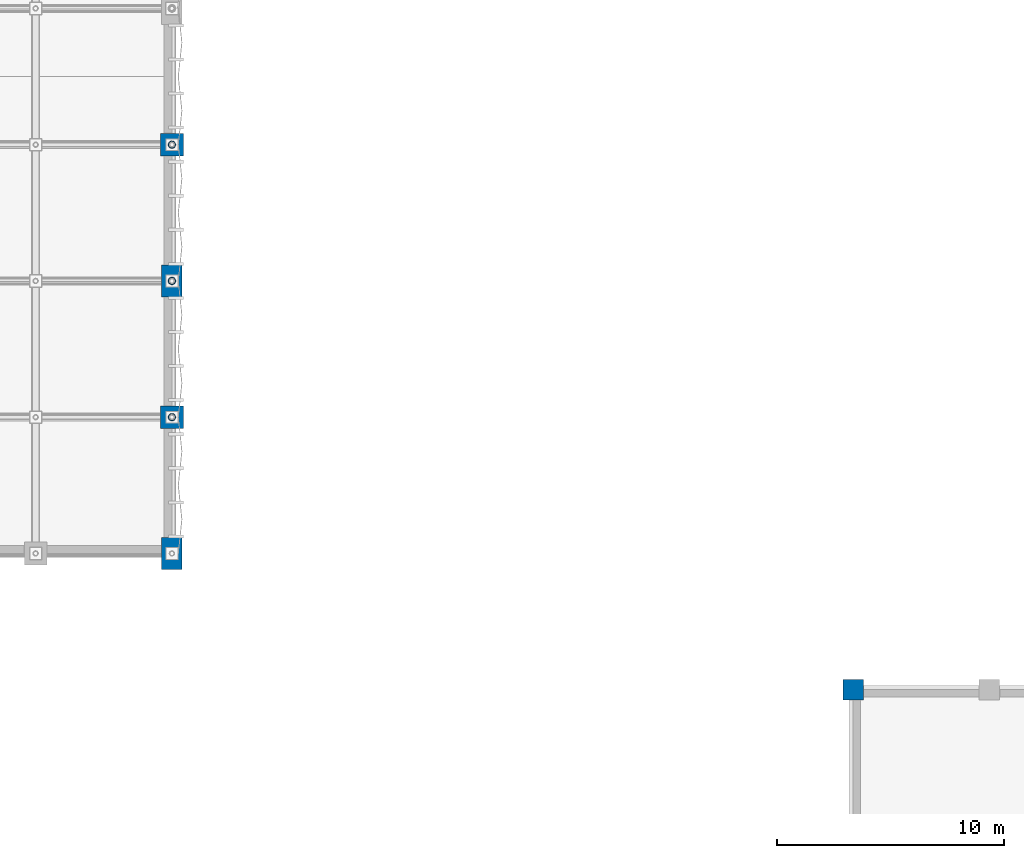
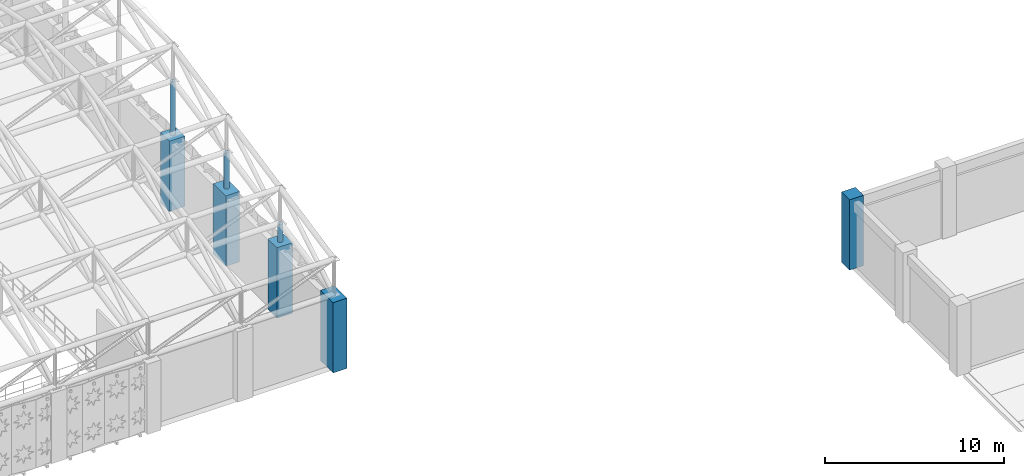
# One storey, part 4 of 112: 8 columns.
"""IFC4 building model written with IfcOpenShell, lengths in metres."""

from ifc_helpers import new_model, si_unit, direction, frame, origin, origin_2d, place, context, subcontext, project, spatial, rectangle, hollow_circle, extrude, material, material_profile, profile_set, type_object, element, save


model = new_model("IFC4")

# Units and contexts
model_context = context("Model", 3, precision=1e-05, world=origin(), true_north=direction((0.0, 1.0)))
body_context = subcontext(model_context, "Body", "Model", "MODEL_VIEW")
ifc_project = project(units=[si_unit("LENGTHUNIT", "METRE"), si_unit("AREAUNIT", "SQUARE_METRE"), si_unit("VOLUMEUNIT", "CUBIC_METRE"), si_unit("PLANEANGLEUNIT", "RADIAN"), si_unit("MASSUNIT", "GRAM", prefix="KILO"), si_unit("THERMODYNAMICTEMPERATUREUNIT", "KELVIN"), si_unit("POWERUNIT", "WATT")], contexts=[model_context])

# Site, building, storey
site_placement = place(None, origin())
site = spatial("IfcSite", under=ifc_project, at=site_placement, CompositionType="ELEMENT")
building_placement = place(site_placement, origin())
building = spatial("IfcBuilding", under=site, at=building_placement, Name="Phaisarnlok Congress Hotel", CompositionType="ELEMENT")
storey_placement = place(building_placement, frame((0.0, 0.0, 19.800048828125)))
storey = spatial("IfcBuildingStorey", under=building, at=storey_placement, Name="L04", CompositionType="ELEMENT", Elevation=19.800048828125)

# Columns
ifc_material_1 = material(Name="Concrete C50/60", Category="concrete")
ifc_material_profile_1 = material_profile(ifc_material_1, rectangle(XDim=1.0, YDim=1.0, at=origin_2d()), Name="RC 1000x1000")
ifc_profile_set_1 = profile_set([ifc_material_profile_1], Name="Concrete C50/60")
column_type_1 = type_object("IfcColumnType", Name="COL-RC-1000", PredefinedType="COLUMN", material=ifc_profile_set_1)
for number, where, z_axis, x_axis, name in (
    (1, (66.0, 48.0, 0.0), (0.0, 0.0, 1.0), (1.0, 0.0, 0.0), "Column C-09 (L04)"),
    (2, (66.0, 60.0, 0.0), (0.0, 0.0, 1.0), (1.0, 0.0, 0.0), "Column C-09 (L04)"),
):
    element("IfcColumn", number, at=place(storey_placement, frame(where, z_axis=z_axis, x_axis=x_axis)), inside=storey, type_object=column_type_1, Name=name, PredefinedType="COLUMN", context=body_context, shape_type="SweptSolid", body=[
        extrude(rectangle(XDim=1.0, YDim=1.0, at=origin_2d()), origin(), (0.0, 0.0, 1.0), 4.800048828125),
    ])
ifc_material_profile_2 = material_profile(ifc_material_1, rectangle(XDim=0.89990234375, YDim=0.89990234375, at=origin_2d()), Name="RC 900x900")
ifc_profile_set_2 = profile_set([ifc_material_profile_2], Name="Concrete C50/60")
column_type_2 = type_object("IfcColumnType", Name="COL-RC-900", PredefinedType="COLUMN", material=ifc_profile_set_2)
column_1_placement = place(storey_placement, frame((96.0, 36.0, 0.0), z_axis=(0.0, 0.0, 1.0), x_axis=(1.0, 0.0, 0.0)))
element("IfcColumn", 3, at=column_1_placement, inside=storey, type_object=column_type_2, Name="Column C-08 (L04)", PredefinedType="COLUMN", context=body_context, shape_type="SweptSolid", body=[
    extrude(rectangle(XDim=0.89990234375, YDim=0.89990234375, at=origin_2d()), origin(), (0.0, 0.0, 1.0), 4.800048828125),
])
ifc_material_profile_3 = material_profile(ifc_material_1, rectangle(XDim=0.89990234375, YDim=1.39990234375, at=origin_2d()), Name="RC 900x1400")
ifc_profile_set_3 = profile_set([ifc_material_profile_3], Name="Concrete C50/60")
column_type_3 = type_object("IfcColumnType", Name="COL-RC-900x1400", PredefinedType="COLUMN", material=ifc_profile_set_3)
for number, where, z_axis, x_axis, name in (
    (4, (66.0, 42.0, 0.0), (0.0, 0.0, 1.0), (1.0, 0.0, 0.0), "Column C-12 (L04)"),
    (5, (66.0, 54.0, 0.0), (0.0, 0.0, 1.0), (1.0, 0.0, 0.0), "Column C-12 (L04)"),
):
    element("IfcColumn", number, at=place(storey_placement, frame(where, z_axis=z_axis, x_axis=x_axis)), inside=storey, type_object=column_type_3, Name=name, PredefinedType="COLUMN", context=body_context, shape_type="SweptSolid", body=[
        extrude(rectangle(XDim=0.89990234375, YDim=1.39990234375, at=origin_2d()), origin(), (0.0, 0.0, 1.0), 4.800048828125),
    ])
ifc_material_2 = material(Name="Steel S355", Category="steel")
ifc_material_profile_4 = material_profile(ifc_material_2, hollow_circle(Radius=0.161865234375, WallThickness=0.01611328125, at=origin_2d()), Name="CHS 323.9x16")
ifc_profile_set_4 = profile_set([ifc_material_profile_4], Name="Steel S355")
column_type_4 = type_object("IfcColumnType", Name="COL-STL-CHS324", PredefinedType="COLUMN", material=ifc_profile_set_4)
column_2_placement = place(storey_placement, frame((66.0, 48.0, 4.800048828125), z_axis=(0.0, 0.0, 1.0), x_axis=(1.0, 0.0, 0.0)))
element("IfcColumn", 6, at=column_2_placement, inside=storey, type_object=column_type_4, Name="Congress Hall gable roof support post", PredefinedType="COLUMN", context=body_context, shape_type="SweptSolid", body=[
    extrude(hollow_circle(Radius=0.161865234375, WallThickness=0.01611328125, at=origin_2d()), origin(), (0.0, 0.0, 1.0), 1.220703125),
])
column_3_placement = place(storey_placement, frame((66.0, 54.0, 4.800048828125), z_axis=(0.0, 0.0, 1.0), x_axis=(1.0, 0.0, 0.0)))
element("IfcColumn", 7, at=column_3_placement, inside=storey, type_object=column_type_4, Name="Congress Hall gable roof support post", PredefinedType="COLUMN", context=body_context, shape_type="SweptSolid", body=[
    extrude(hollow_circle(Radius=0.161865234375, WallThickness=0.01611328125, at=origin_2d()), origin(), (0.0, 0.0, 1.0), 2.44140625),
])
column_4_placement = place(storey_placement, frame((66.0, 60.0, 4.800048828125), z_axis=(0.0, 0.0, 1.0), x_axis=(1.0, 0.0, 0.0)))
element("IfcColumn", 8, at=column_4_placement, inside=storey, type_object=column_type_4, Name="Congress Hall gable roof support post", PredefinedType="COLUMN", context=body_context, shape_type="SweptSolid", body=[
    extrude(hollow_circle(Radius=0.161865234375, WallThickness=0.01611328125, at=origin_2d()), origin(), (0.0, 0.0, 1.0), 3.662109375),
])

save(model, "model.ifc")
